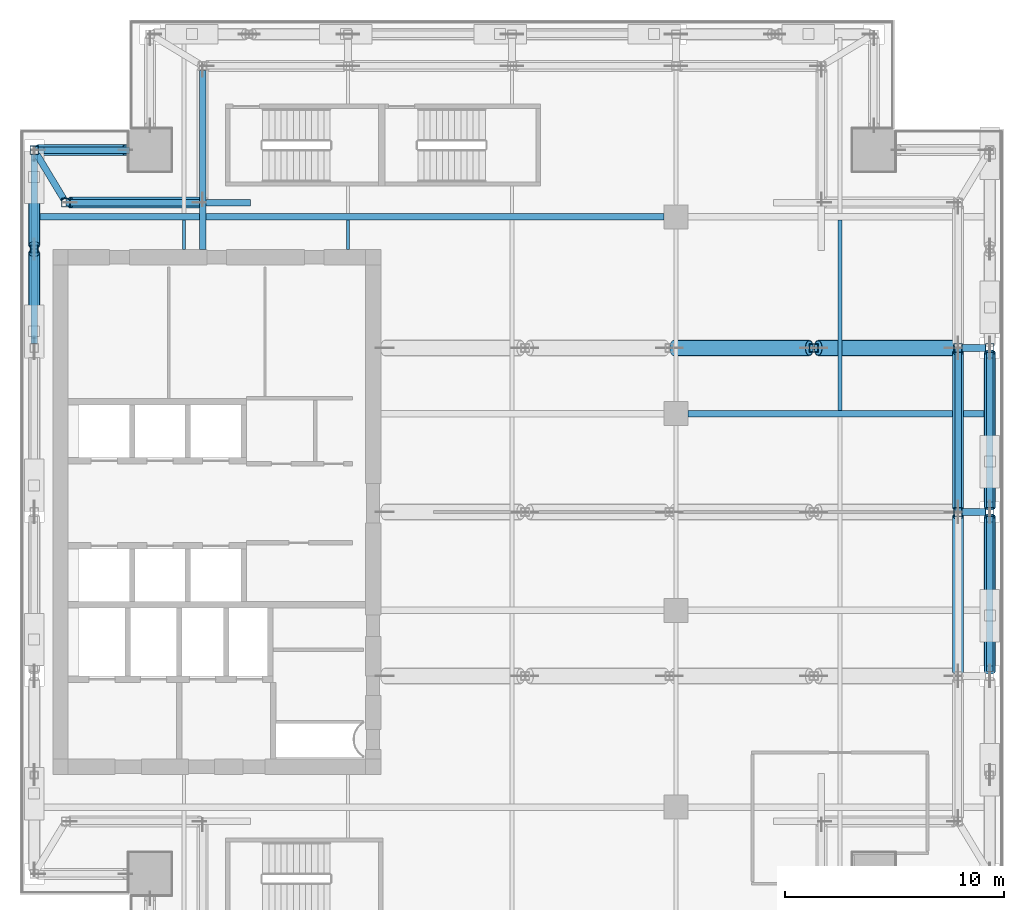
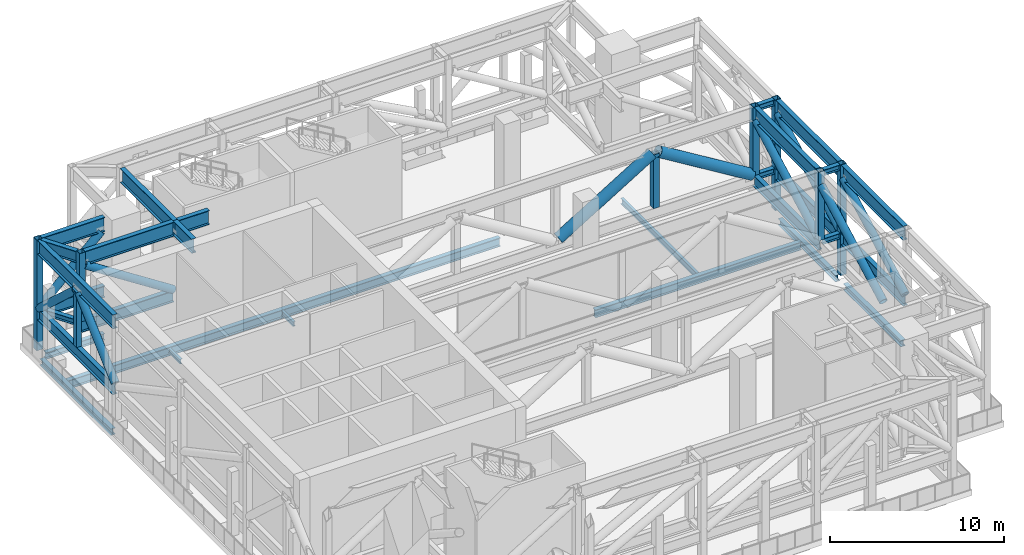
# One storey, part 4 of 15: 33 members, 15 beams.
"""IFC4 building model written with IfcOpenShell, lengths in metres."""

from ifc_helpers import new_model, si_unit, direction, frame, origin, origin_2d, place, context, subcontext, project, spatial, hollow_rectangle, hollow_circle, i_section, extrude, source, transform, mapped, material, material_profile, profile_set, type_object, element, save


model = new_model("IFC4")

# Units and contexts
model_context = context("Model", 3, precision=1e-05, world=origin(), true_north=direction((0.0, 1.0)))
body_context = subcontext(model_context, "Body", "Model", "MODEL_VIEW")
ifc_project = project(units=[si_unit("LENGTHUNIT", "METRE"), si_unit("AREAUNIT", "SQUARE_METRE"), si_unit("VOLUMEUNIT", "CUBIC_METRE"), si_unit("PLANEANGLEUNIT", "RADIAN"), si_unit("MASSUNIT", "GRAM", prefix="KILO")], contexts=[model_context])

# Site, building, storey
site_placement = place(None, origin())
site = spatial("IfcSite", under=ifc_project, at=site_placement, CompositionType="ELEMENT")
building_placement = place(site_placement, origin())
building = spatial("IfcBuilding", under=site, at=building_placement, Name="Khomas Fold Tower", CompositionType="ELEMENT")
storey_placement = place(building_placement, frame((0.0, 0.0, 274.199951171875)))
storey = spatial("IfcBuildingStorey", under=building, at=storey_placement, Name="L62", CompositionType="ELEMENT", Elevation=274.199951171875)

# Beams
ifc_material_1 = material(Name="Steel S355", Category="steel")
ifc_material_profile_1 = material_profile(ifc_material_1, i_section(OverallWidth=0.179931640625, OverallDepth=0.39990234375, WebThickness=0.008544921875, FlangeThickness=0.013427734375, at=origin_2d()), Name="IPE 400")
ifc_profile_set_1 = profile_set([ifc_material_profile_1], Name="Steel S355")
beam_type_1 = type_object("IfcBeamType", Name="IPE 400 beam JB3", PredefinedType="BEAM", material=ifc_profile_set_1)
shared_shape_1 = source(origin(), body_context, "Body", "SweptSolid", [
    extrude(i_section(OverallWidth=0.179931640625, OverallDepth=0.39990234375, WebThickness=0.008544921875, FlangeThickness=0.013427734375, at=origin_2d()), origin(), (0.0, 0.0, 1.0), 8.7001953125),
])
beam_1_placement = place(storey_placement, frame((42.0, 31.64990234375, -0.599853515625), z_axis=(0.0, 1.0, 0.0), x_axis=(-1.0, 0.0, 0.0)))
element("IfcBeam", 1, at=beam_1_placement, inside=storey, type_object=beam_type_1, Name="JB3", PredefinedType="BEAM", context=body_context, shape_type="MappedRepresentation", body=[
    mapped(shared_shape_1, transform((0.0, 0.0, 0.0))),
])
ifc_material_2 = material(Name="Steel S355", Category="steel")
ifc_material_profile_2 = material_profile(ifc_material_2, i_section(OverallWidth=0.159912109375, OverallDepth=0.330078125, WebThickness=0.007568359375, FlangeThickness=0.011474609375, at=origin_2d()), Name="IPE 330")
ifc_profile_set_2 = profile_set([ifc_material_profile_2], Name="Steel S355")
beam_type_2 = type_object("IfcBeamType", Name="IPE 330 beam JB1", PredefinedType="BEAM", material=ifc_profile_set_2)
shared_shape_2 = source(origin(), body_context, "Body", "SweptSolid", [
    extrude(i_section(OverallWidth=0.159912109375, OverallDepth=0.330078125, WebThickness=0.007568359375, FlangeThickness=0.011474609375, at=origin_2d()), origin(), (0.0, 0.0, 1.0), 1.35009765625),
])
for number, where, z_axis, x_axis, name in (
    (2, (12.0, 39.0, -0.56494140625), (0.0, 1.0, 0.0), (-1.0, 0.0, 0.0), "JB1"),
    (3, (19.5, 39.0, -0.56494140625), (0.0, 1.0, 0.0), (-1.0, 0.0, 0.0), "JB1"),
):
    element("IfcBeam", number, at=place(storey_placement, frame(where, z_axis=z_axis, x_axis=x_axis)), inside=storey, type_object=beam_type_2, Name=name, PredefinedType="BEAM", context=body_context, shape_type="MappedRepresentation", body=[
        mapped(shared_shape_2, transform((0.0, 0.0, 0.0))),
    ])
ifc_material_3 = material(Name="Steel S355", Category="steel")
ifc_material_profile_3 = material_profile(ifc_material_3, i_section(OverallWidth=0.300048828125, OverallDepth=0.449951171875, WebThickness=0.013916015625, FlangeThickness=0.02587890625, at=origin_2d()), Name="HE 450 B")
ifc_profile_set_3 = profile_set([ifc_material_profile_3], Name="Steel S355")
beam_type_3 = type_object("IfcBeamType", Name="HE 450 B spandrel SB4", PredefinedType="SPANDREL", material=ifc_profile_set_3)
shared_shape_3 = source(origin(), body_context, "Body", "SweptSolid", [
    extrude(i_section(OverallWidth=0.300048828125, OverallDepth=0.449951171875, WebThickness=0.013916015625, FlangeThickness=0.02587890625, at=origin_2d()), origin(), (0.0, 0.0, 1.0), 8.150146484375),
])
beam_2_placement = place(storey_placement, frame((5.14990234375, 34.949951171875, -0.625), z_axis=(0.0, 1.0, 0.0), x_axis=(-1.0, 0.0, 0.0)))
element("IfcBeam", 4, at=beam_2_placement, inside=storey, type_object=beam_type_3, Name="SB4", PredefinedType="SPANDREL", context=body_context, shape_type="MappedRepresentation", body=[
    mapped(shared_shape_3, transform((0.0, 0.0, 0.0))),
])
shared_shape_4 = source(origin(), body_context, "Body", "SweptSolid", [
    extrude(i_section(OverallWidth=0.300048828125, OverallDepth=0.449951171875, WebThickness=0.013916015625, FlangeThickness=0.02587890625, at=origin_2d()), origin(), (0.0, 0.0, 1.0), 6.60009765625),
])
for number, where, z_axis, x_axis, name in (
    (5, (48.85009765625, 19.949951171875, -0.625), (0.0, 1.0, 0.0), (-1.0, 0.0, 0.0), "SB4"),
    (6, (48.85009765625, 27.449951171875, -0.625), (0.0, 1.0, 0.0), (-1.0, 0.0, 0.0), "SB4"),
):
    element("IfcBeam", number, at=place(storey_placement, frame(where, z_axis=z_axis, x_axis=x_axis)), inside=storey, type_object=beam_type_3, Name=name, PredefinedType="SPANDREL", context=body_context, shape_type="MappedRepresentation", body=[
        mapped(shared_shape_4, transform((0.0, 0.0, 0.0))),
    ])
shared_shape_5 = source(origin(), body_context, "Body", "SweptSolid", [
    extrude(i_section(OverallWidth=0.300048828125, OverallDepth=0.449951171875, WebThickness=0.013916015625, FlangeThickness=0.02587890625, at=origin_2d()), origin(), (0.0, 0.0, 1.0), 3.89990234375),
])
beam_3_placement = place(storey_placement, frame((5.60009765625, 43.550048828125, -0.625), z_axis=(1.0, 0.0, 0.0), x_axis=(0.0, 1.0, 0.0)))
element("IfcBeam", 7, at=beam_3_placement, inside=storey, type_object=beam_type_3, Name="SB4", PredefinedType="SPANDREL", context=body_context, shape_type="MappedRepresentation", body=[
    mapped(shared_shape_5, transform((0.0, 0.0, 0.0))),
])
ifc_material_4 = material(Name="Steel S355", Category="steel")
ifc_material_profile_4 = material_profile(ifc_material_4, i_section(OverallWidth=0.300048828125, OverallDepth=0.60009765625, WebThickness=0.015380859375, FlangeThickness=0.030029296875, at=origin_2d()), Name="HE 600 B")
ifc_profile_set_4 = profile_set([ifc_material_profile_4], Name="Steel S355")
beam_type_4 = type_object("IfcBeamType", Name="HE 600 B beam GB5", PredefinedType="BEAM", material=ifc_profile_set_4)
shared_shape_6 = source(origin(), body_context, "Body", "SweptSolid", [
    extrude(i_section(OverallWidth=0.300048828125, OverallDepth=0.60009765625, WebThickness=0.015380859375, FlangeThickness=0.030029296875, at=origin_2d()), origin(), (0.0, 0.0, 1.0), 28.64990234375),
])
beam_4_placement = place(storey_placement, frame((5.300048828125, 40.5, -0.699951171875), z_axis=(1.0, 0.0, 0.0), x_axis=(0.0, 1.0, 0.0)))
element("IfcBeam", 8, at=beam_4_placement, inside=storey, type_object=beam_type_4, Name="GB5", PredefinedType="BEAM", context=body_context, shape_type="MappedRepresentation", body=[
    mapped(shared_shape_6, transform((0.0, 0.0, 0.0))),
])
ifc_material_5 = material(Name="Steel S355", Category="steel")
ifc_material_profile_5 = material_profile(ifc_material_5, i_section(OverallWidth=0.300048828125, OverallDepth=0.550048828125, WebThickness=0.014892578125, FlangeThickness=0.029052734375, at=origin_2d()), Name="HE 550 B")
ifc_profile_set_5 = profile_set([ifc_material_profile_5], Name="Steel S355")
beam_type_5 = type_object("IfcBeamType", Name="HE 550 B beam GB4", PredefinedType="BEAM", material=ifc_profile_set_5)
shared_shape_7 = source(origin(), body_context, "Body", "SweptSolid", [
    extrude(i_section(OverallWidth=0.300048828125, OverallDepth=0.550048828125, WebThickness=0.014892578125, FlangeThickness=0.029052734375, at=origin_2d()), origin(), (0.0, 0.0, 1.0), 13.64990234375),
])
beam_5_placement = place(storey_placement, frame((35.050048828125, 31.5, -0.675048828125), z_axis=(1.0, 0.0, 0.0), x_axis=(0.0, 1.0, 0.0)))
element("IfcBeam", 9, at=beam_5_placement, inside=storey, type_object=beam_type_5, Name="GB4", PredefinedType="BEAM", context=body_context, shape_type="MappedRepresentation", body=[
    mapped(shared_shape_7, transform((0.0, 0.0, 0.0))),
])

# Members
ifc_material_6 = material(Name="Steel S460M", Category="steel")
ifc_material_profile_6 = material_profile(ifc_material_6, i_section(OverallWidth=0.300048828125, OverallDepth=1.0, WebThickness=0.01904296875, FlangeThickness=0.035888671875, at=origin_2d()), Name="HE 1000 B")
ifc_profile_set_6 = profile_set([ifc_material_profile_6], Name="Steel S460M")
member_type_1 = type_object("IfcMemberType", Name="BELT TRUSS 4 TOP CHORD HE 1000 B", PredefinedType="CHORD", material=ifc_profile_set_6)
shared_shape_8 = source(origin(), body_context, "Body", "SweptSolid", [
    extrude(i_section(OverallWidth=0.300048828125, OverallDepth=1.0, WebThickness=0.01904296875, FlangeThickness=0.035888671875, at=origin_2d()), origin(), (0.0, 0.0, 1.0), 8.650146484375),
])
member_1_placement = place(storey_placement, frame((5.14990234375, 43.35009765625, 7.25), z_axis=(0.0, -1.0, 0.0), x_axis=(1.0, 0.0, 0.0)))
element("IfcMember", 10, at=member_1_placement, inside=storey, type_object=member_type_1, Name="BT4-CT", PredefinedType="CHORD", context=body_context, shape_type="MappedRepresentation", body=[
    mapped(shared_shape_8, transform((0.0, 0.0, 0.0))),
])
ifc_material_7 = material(Name="Steel S460M", Category="steel")
ifc_material_profile_7 = material_profile(ifc_material_7, i_section(OverallWidth=0.300048828125, OverallDepth=0.800048828125, WebThickness=0.017578125, FlangeThickness=0.032958984375, at=origin_2d()), Name="HE 800 B")
ifc_profile_set_7 = profile_set([ifc_material_profile_7], Name="Steel S460M")
member_type_2 = type_object("IfcMemberType", Name="BELT TRUSS 4 BOTTOM CHORD HE 800 B", PredefinedType="CHORD", material=ifc_profile_set_7)
shared_shape_9 = source(origin(), body_context, "Body", "SweptSolid", [
    extrude(i_section(OverallWidth=0.300048828125, OverallDepth=0.800048828125, WebThickness=0.017578125, FlangeThickness=0.032958984375, at=origin_2d()), origin(), (0.0, 0.0, 1.0), 8.650146484375),
])
member_2_placement = place(storey_placement, frame((5.14990234375, 43.35009765625, 2.550048828125), z_axis=(0.0, -1.0, 0.0), x_axis=(1.0, 0.0, 0.0)))
element("IfcMember", 11, at=member_2_placement, inside=storey, type_object=member_type_2, Name="BT4-CB", PredefinedType="CHORD", context=body_context, shape_type="MappedRepresentation", body=[
    mapped(shared_shape_9, transform((0.0, 0.0, 0.0))),
])
ifc_material_8 = material(Name="Steel S355", Category="steel")
ifc_material_profile_8 = material_profile(ifc_material_8, hollow_circle(Radius=0.25390625, WallThickness=0.02001953125, at=origin_2d()), Name="CHS 508x20")
ifc_profile_set_8 = profile_set([ifc_material_profile_8], Name="Steel S355")
member_type_3 = type_object("IfcMemberType", Name="BELT TRUSS 4 DIAGONAL CHS 508x20", PredefinedType="BRACE", material=ifc_profile_set_8)
shared_shape_10 = source(origin(), body_context, "Body", "SweptSolid", [
    extrude(hollow_circle(Radius=0.25390625, WallThickness=0.02001953125, at=origin_2d()), origin(), (0.0, 0.0, 1.0), 5.6337890625),
])
for number, where, z_axis, x_axis, name in (
    (12, (5.14990234375, 43.35009765625, 2.945068359375), (0.0, -0.736644872109, 0.676279773759), (1.0, 0.0, 0.0), "BT4-D"),
    (13, (5.14990234375, 38.85009765625, 6.755126953125), (0.0, -0.736644872109, -0.676279773759), (1.0, 0.0, 0.0), "BT4-D"),
):
    element("IfcMember", number, at=place(storey_placement, frame(where, z_axis=z_axis, x_axis=x_axis)), inside=storey, type_object=member_type_3, Name=name, PredefinedType="BRACE", context=body_context, shape_type="MappedRepresentation", body=[
        mapped(shared_shape_10, transform((0.0, 0.0, 0.0))),
    ])
ifc_material_9 = material(Name="Steel S355", Category="steel")
ifc_material_profile_9 = material_profile(ifc_material_9, hollow_rectangle(XDim=0.35009765625, YDim=0.35009765625, WallThickness=0.02001953125, at=origin_2d()), Name="SHS 350x350x20")
ifc_profile_set_9 = profile_set([ifc_material_profile_9], Name="Steel S355")
member_type_4 = type_object("IfcMemberType", Name="BELT TRUSS 4 MID POST SHS 350x350x20", PredefinedType="POST", material=ifc_profile_set_9)
shared_shape_11 = source(origin(), body_context, "Body", "SweptSolid", [
    extrude(hollow_rectangle(XDim=0.35009765625, YDim=0.35009765625, WallThickness=0.02001953125, at=origin_2d()), origin(), (0.0, 0.0, 1.0), 3.800048828125),
])
member_3_placement = place(storey_placement, frame((5.14990234375, 39.02490234375, 2.949951171875), z_axis=(0.0, 0.0, 1.0), x_axis=(1.0, 0.0, 0.0)))
element("IfcMember", 14, at=member_3_placement, inside=storey, type_object=member_type_4, Name="BT4-M", PredefinedType="POST", context=body_context, shape_type="MappedRepresentation", body=[
    mapped(shared_shape_11, transform((0.0, 0.0, 0.0))),
])
shared_shape_12 = source(origin(), body_context, "Body", "SweptSolid", [
    extrude(i_section(OverallWidth=0.300048828125, OverallDepth=1.0, WebThickness=0.01904296875, FlangeThickness=0.035888671875, at=origin_2d()), origin(), (0.0, 0.0, 1.0), 7.10009765625),
])
for number, where, z_axis, x_axis, name in (
    (15, (48.85009765625, 19.699951171875, 7.25), (0.0, 1.0, 0.0), (-1.0, 0.0, 0.0), "BT4-CT"),
    (16, (48.85009765625, 27.199951171875, 7.25), (0.0, 1.0, 0.0), (-1.0, 0.0, 0.0), "BT4-CT"),
    (17, (47.39990234375, 27.199951171875, 7.25), (0.0, 1.0, 0.0), (-1.0, 0.0, 0.0), "BT4-CT"),
):
    element("IfcMember", number, at=place(storey_placement, frame(where, z_axis=z_axis, x_axis=x_axis)), inside=storey, type_object=member_type_1, Name=name, PredefinedType="CHORD", context=body_context, shape_type="MappedRepresentation", body=[
        mapped(shared_shape_12, transform((0.0, 0.0, 0.0))),
    ])
shared_shape_13 = source(origin(), body_context, "Body", "SweptSolid", [
    extrude(i_section(OverallWidth=0.300048828125, OverallDepth=0.800048828125, WebThickness=0.017578125, FlangeThickness=0.032958984375, at=origin_2d()), origin(), (0.0, 0.0, 1.0), 7.10009765625),
])
for number, where, z_axis, x_axis, name in (
    (18, (48.85009765625, 19.699951171875, 2.550048828125), (0.0, 1.0, 0.0), (-1.0, 0.0, 0.0), "BT4-CB"),
    (19, (48.85009765625, 27.199951171875, 2.550048828125), (0.0, 1.0, 0.0), (-1.0, 0.0, 0.0), "BT4-CB"),
):
    element("IfcMember", number, at=place(storey_placement, frame(where, z_axis=z_axis, x_axis=x_axis)), inside=storey, type_object=member_type_2, Name=name, PredefinedType="CHORD", context=body_context, shape_type="MappedRepresentation", body=[
        mapped(shared_shape_13, transform((0.0, 0.0, 0.0))),
    ])
shared_shape_14 = source(origin(), body_context, "Body", "SweptSolid", [
    extrude(hollow_circle(Radius=0.25390625, WallThickness=0.02001953125, at=origin_2d()), origin(), (0.0, 0.0, 1.0), 8.057861328125),
])
for number, where, z_axis, x_axis, name in (
    (20, (48.85009765625, 19.699951171875, 2.945068359375), (0.0, 0.881147336549, 0.472841803665), (-1.0, 0.0, 0.0), "BT4-D"),
    (21, (48.85009765625, 27.199951171875, 2.945068359375), (0.0, 0.881147336549, 0.472841803665), (-1.0, 0.0, 0.0), "BT4-D"),
    (22, (47.39990234375, 19.699951171875, 2.945068359375), (0.0, 0.881147336549, 0.472841803665), (-1.0, 0.0, 0.0), "BT4-D"),
    (23, (47.39990234375, 27.199951171875, 2.945068359375), (0.0, 0.881147336549, 0.472841803665), (-1.0, 0.0, 0.0), "BT4-D"),
):
    element("IfcMember", number, at=place(storey_placement, frame(where, z_axis=z_axis, x_axis=x_axis)), inside=storey, type_object=member_type_3, Name=name, PredefinedType="BRACE", context=body_context, shape_type="MappedRepresentation", body=[
        mapped(shared_shape_14, transform((0.0, 0.0, 0.0))),
    ])
ifc_material_10 = material(Name="Steel S460M", Category="steel")
ifc_material_profile_10 = material_profile(ifc_material_10, i_section(OverallWidth=0.300048828125, OverallDepth=1.0, WebThickness=0.01904296875, FlangeThickness=0.035888671875, at=origin_2d()), Name="HE 1000 B")
ifc_profile_set_10 = profile_set([ifc_material_profile_10], Name="Steel S460M")
member_type_5 = type_object("IfcMemberType", Name="BELT TRUSS 4 TOP CHORD SHORT HE 1000 B", PredefinedType="CHORD", material=ifc_profile_set_10)
shared_shape_15 = source(origin(), body_context, "Body", "SweptSolid", [
    extrude(i_section(OverallWidth=0.300048828125, OverallDepth=1.0, WebThickness=0.01904296875, FlangeThickness=0.035888671875, at=origin_2d()), origin(), (0.0, 0.0, 1.0), 4.14990234375),
])
member_4_placement = place(storey_placement, frame((5.35009765625, 43.550048828125, 7.25), z_axis=(1.0, 0.0, 0.0), x_axis=(0.0, 1.0, 0.0)))
element("IfcMember", 24, at=member_4_placement, inside=storey, type_object=member_type_5, Name="BT4-CTS", PredefinedType="CHORD", context=body_context, shape_type="MappedRepresentation", body=[
    mapped(shared_shape_15, transform((0.0, 0.0, 0.0))),
])
ifc_material_11 = material(Name="Steel S460M", Category="steel")
ifc_material_profile_11 = material_profile(ifc_material_11, i_section(OverallWidth=0.300048828125, OverallDepth=0.800048828125, WebThickness=0.017578125, FlangeThickness=0.032958984375, at=origin_2d()), Name="HE 800 B")
ifc_profile_set_11 = profile_set([ifc_material_profile_11], Name="Steel S460M")
member_type_6 = type_object("IfcMemberType", Name="BELT TRUSS 4 BOTTOM CHORD SHORT HE 800 B", PredefinedType="CHORD", material=ifc_profile_set_11)
shared_shape_16 = source(origin(), body_context, "Body", "SweptSolid", [
    extrude(i_section(OverallWidth=0.300048828125, OverallDepth=0.800048828125, WebThickness=0.017578125, FlangeThickness=0.032958984375, at=origin_2d()), origin(), (0.0, 0.0, 1.0), 4.14990234375),
])
member_5_placement = place(storey_placement, frame((5.35009765625, 43.550048828125, 2.550048828125), z_axis=(1.0, 0.0, 0.0), x_axis=(0.0, 1.0, 0.0)))
element("IfcMember", 25, at=member_5_placement, inside=storey, type_object=member_type_6, Name="BT4-CBS", PredefinedType="CHORD", context=body_context, shape_type="MappedRepresentation", body=[
    mapped(shared_shape_16, transform((0.0, 0.0, 0.0))),
])
shared_shape_17 = source(origin(), body_context, "Body", "SweptSolid", [
    extrude(hollow_circle(Radius=0.25390625, WallThickness=0.02001953125, at=origin_2d()), origin(), (0.0, 0.0, 1.0), 5.508544921875),
])
member_6_placement = place(storey_placement, frame((5.35009765625, 43.550048828125, 2.945068359375), z_axis=(0.722210494752, 0.0, 0.691673334219), x_axis=(0.0, 1.0, 0.0)))
element("IfcMember", 26, at=member_6_placement, inside=storey, type_object=member_type_3, Name="BT4-D", PredefinedType="BRACE", context=body_context, shape_type="MappedRepresentation", body=[
    mapped(shared_shape_17, transform((0.0, 0.0, 0.0))),
])
shared_shape_18 = source(origin(), body_context, "Body", "SweptSolid", [
    extrude(i_section(OverallWidth=0.300048828125, OverallDepth=0.800048828125, WebThickness=0.017578125, FlangeThickness=0.032958984375, at=origin_2d()), origin(), (0.0, 0.0, 1.0), 7.5),
])
member_7_placement = place(storey_placement, frame((47.39990234375, 27.0, 2.550048828125), z_axis=(0.0, 1.0, 0.0), x_axis=(-1.0, 0.0, 0.0)))
element("IfcMember", 27, at=member_7_placement, inside=storey, type_object=member_type_2, Name="BT4-CB", PredefinedType="CHORD", context=body_context, shape_type="MappedRepresentation", body=[
    mapped(shared_shape_18, transform((0.0, 0.0, 0.0))),
])
shared_shape_19 = source(origin(), body_context, "Body", "SweptSolid", [
    extrude(i_section(OverallWidth=0.300048828125, OverallDepth=1.0, WebThickness=0.01904296875, FlangeThickness=0.035888671875, at=origin_2d()), origin(), (0.0, 0.0, 1.0), 6.050048828125),
])
member_8_placement = place(storey_placement, frame((12.85009765625, 47.199951171875, 7.25), z_axis=(0.0, -1.0, 0.0), x_axis=(1.0, 0.0, 0.0)))
element("IfcMember", 28, at=member_8_placement, inside=storey, type_object=member_type_5, Name="BT4-CTS", PredefinedType="CHORD", context=body_context, shape_type="MappedRepresentation", body=[
    mapped(shared_shape_19, transform((0.0, 0.0, 0.0))),
])
shared_shape_20 = source(origin(), body_context, "Body", "SweptSolid", [
    extrude(i_section(OverallWidth=0.300048828125, OverallDepth=1.0, WebThickness=0.01904296875, FlangeThickness=0.035888671875, at=origin_2d()), origin(), (0.0, 0.0, 1.0), 5.89990234375),
])
member_9_placement = place(storey_placement, frame((6.800048828125, 41.14990234375, 7.25), z_axis=(1.0, 0.0, 0.0), x_axis=(0.0, 1.0, 0.0)))
element("IfcMember", 29, at=member_9_placement, inside=storey, type_object=member_type_5, Name="BT4-CTS", PredefinedType="CHORD", context=body_context, shape_type="MappedRepresentation", body=[
    mapped(shared_shape_20, transform((0.0, 0.0, 0.0))),
])
shared_shape_21 = source(origin(), body_context, "Body", "SweptSolid", [
    extrude(hollow_circle(Radius=0.25390625, WallThickness=0.02001953125, at=origin_2d()), origin(), (0.0, 0.0, 1.0), 7.023193359375),
])
member_10_placement = place(storey_placement, frame((6.800048828125, 41.14990234375, 6.755126953125), z_axis=(0.840058520302, 0.0, -0.542495790277), x_axis=(0.0, 1.0, 0.0)))
element("IfcMember", 30, at=member_10_placement, inside=storey, type_object=member_type_3, Name="BT4-D", PredefinedType="BRACE", context=body_context, shape_type="MappedRepresentation", body=[
    mapped(shared_shape_21, transform((0.0, 0.0, 0.0))),
])
ifc_material_12 = material(Name="Steel S460M", Category="steel")
ifc_material_profile_12 = material_profile(ifc_material_12, i_section(OverallWidth=0.300048828125, OverallDepth=1.0, WebThickness=0.01904296875, FlangeThickness=0.035888671875, at=origin_2d()), Name="HE 1000 B")
ifc_profile_set_12 = profile_set([ifc_material_profile_12], Name="Steel S460M")
member_type_7 = type_object("IfcMemberType", Name="BELT TRUSS 4 TOP CHORD SHORTER HE 1000 B", PredefinedType="CHORD", material=ifc_profile_set_12)
shared_shape_22 = source(origin(), body_context, "Body", "SweptSolid", [
    extrude(i_section(OverallWidth=0.300048828125, OverallDepth=1.0, WebThickness=0.01904296875, FlangeThickness=0.035888671875, at=origin_2d()), origin(), (0.0, 0.0, 1.0), 2.050048828125),
])
member_11_placement = place(storey_placement, frame((13.0, 41.14990234375, 7.25), z_axis=(1.0, 0.0, 0.0), x_axis=(0.0, 1.0, 0.0)))
element("IfcMember", 31, at=member_11_placement, inside=storey, type_object=member_type_7, Name="BT4-CTSS", PredefinedType="CHORD", context=body_context, shape_type="MappedRepresentation", body=[
    mapped(shared_shape_22, transform((0.0, 0.0, 0.0))),
])
shared_shape_23 = source(origin(), body_context, "Body", "SweptSolid", [
    extrude(i_section(OverallWidth=0.300048828125, OverallDepth=0.800048828125, WebThickness=0.017578125, FlangeThickness=0.032958984375, at=origin_2d()), origin(), (0.0, 0.0, 1.0), 6.099853515625),
])
member_12_placement = place(storey_placement, frame((6.60009765625, 41.14990234375, 2.550048828125), z_axis=(1.0, 0.0, 0.0), x_axis=(0.0, 1.0, 0.0)))
element("IfcMember", 32, at=member_12_placement, inside=storey, type_object=member_type_6, Name="BT4-CBS", PredefinedType="CHORD", context=body_context, shape_type="MappedRepresentation", body=[
    mapped(shared_shape_23, transform((0.0, 0.0, 0.0))),
])
shared_shape_24 = source(origin(), body_context, "Body", "SweptSolid", [
    extrude(i_section(OverallWidth=0.300048828125, OverallDepth=1.0, WebThickness=0.01904296875, FlangeThickness=0.035888671875, at=origin_2d()), origin(), (0.0, 0.0, 1.0), 2.14990234375),
])
member_13_placement = place(storey_placement, frame((12.85009765625, 41.14990234375, 7.25), z_axis=(0.0, -1.0, 0.0), x_axis=(1.0, 0.0, 0.0)))
element("IfcMember", 33, at=member_13_placement, inside=storey, type_object=member_type_7, Name="BT4-CTSS", PredefinedType="CHORD", context=body_context, shape_type="MappedRepresentation", body=[
    mapped(shared_shape_24, transform((0.0, 0.0, 0.0))),
])
ifc_material_13 = material(Name="Steel S460M", Category="steel")
ifc_material_profile_13 = material_profile(ifc_material_13, hollow_rectangle(XDim=0.39990234375, YDim=0.39990234375, WallThickness=0.02490234375, at=origin_2d()), Name="SHS 400x400x25")
ifc_profile_set_13 = profile_set([ifc_material_profile_13], Name="Steel S460M")
member_type_8 = type_object("IfcMemberType", Name="BELT TRUSS 4 COLUMN POST SHS 400x400x25", PredefinedType="POST", material=ifc_profile_set_13)
shared_shape_25 = source(origin(), body_context, "Body", "SweptSolid", [
    extrude(hollow_rectangle(XDim=0.39990234375, YDim=0.39990234375, WallThickness=0.02490234375, at=origin_2d()), origin(), (0.0, 0.0, 1.0), 7.75),
])
for number, where, z_axis, x_axis, name in (
    (34, (48.85009765625, 27.0, 0.0), (0.0, 0.0, 1.0), (1.0, 0.0, 0.0), "BT4-P"),
    (35, (48.85009765625, 34.5, 0.0), (0.0, 0.0, 1.0), (1.0, 0.0, 0.0), "BT4-P"),
    (36, (5.14990234375, 43.550048828125, 0.0), (0.0, 0.0, 1.0), (1.0, 0.0, 0.0), "BT4-P"),
):
    element("IfcMember", number, at=place(storey_placement, frame(where, z_axis=z_axis, x_axis=x_axis)), inside=storey, type_object=member_type_8, Name=name, PredefinedType="POST", context=body_context, shape_type="MappedRepresentation", body=[
        mapped(shared_shape_25, transform((0.0, 0.0, 0.0))),
    ])
ifc_material_14 = material(Name="Steel S460M", Category="steel")
ifc_material_profile_14 = material_profile(ifc_material_14, hollow_rectangle(XDim=0.39990234375, YDim=0.39990234375, WallThickness=0.02490234375, at=origin_2d()), Name="SHS 400x400x25")
ifc_profile_set_14 = profile_set([ifc_material_profile_14], Name="Steel S460M")
member_type_9 = type_object("IfcMemberType", Name="BELT TRUSS 4 COLUMN POST SHORT SHS 400x400x25", PredefinedType="POST", material=ifc_profile_set_14)
shared_shape_26 = source(origin(), body_context, "Body", "SweptSolid", [
    extrude(hollow_rectangle(XDim=0.39990234375, YDim=0.39990234375, WallThickness=0.02490234375, at=origin_2d()), origin(), (0.0, 0.0, 1.0), 4.800048828125),
])
for number, where, z_axis, x_axis, name in (
    (37, (47.39990234375, 27.0, 2.949951171875), (0.0, 0.0, 1.0), (1.0, 0.0, 0.0), "BT4-PS"),
    (38, (47.39990234375, 34.5, 2.949951171875), (0.0, 0.0, 1.0), (1.0, 0.0, 0.0), "BT4-PS"),
    (39, (6.60009765625, 41.14990234375, 2.949951171875), (0.0, 0.0, 1.0), (1.0, 0.0, 0.0), "BT4-PS"),
):
    element("IfcMember", number, at=place(storey_placement, frame(where, z_axis=z_axis, x_axis=x_axis)), inside=storey, type_object=member_type_9, Name=name, PredefinedType="POST", context=body_context, shape_type="MappedRepresentation", body=[
        mapped(shared_shape_26, transform((0.0, 0.0, 0.0))),
    ])

# Beams
ifc_material_15 = material(Name="Steel S460M", Category="steel")
ifc_material_profile_15 = material_profile(ifc_material_15, i_section(OverallWidth=0.300048828125, OverallDepth=0.800048828125, WebThickness=0.017578125, FlangeThickness=0.032958984375, at=origin_2d()), Name="HE 800 B")
ifc_profile_set_15 = profile_set([ifc_material_profile_15], Name="Steel S460M")
beam_type_6 = type_object("IfcBeamType", Name="BELT TRUSS 4 TOP TRANSFER STRUT HE 800 B", PredefinedType="BEAM", material=ifc_profile_set_15)
shared_shape_27 = source(origin(), body_context, "Body", "SweptSolid", [
    extrude(i_section(OverallWidth=0.300048828125, OverallDepth=0.800048828125, WebThickness=0.017578125, FlangeThickness=0.032958984375, at=origin_2d()), origin(), (0.0, 0.0, 1.0), 2.336669921875),
])
beam_6_placement = place(storey_placement, frame((6.479248046875, 41.35009765625, 7.35009765625), z_axis=(-0.51716666552, 0.855884711906, 0.0), x_axis=(-0.855884711906, -0.51716666552, 0.0)))
element("IfcBeam", 40, at=beam_6_placement, inside=storey, type_object=beam_type_6, Name="BT4-STD", PredefinedType="BEAM", context=body_context, shape_type="MappedRepresentation", body=[
    mapped(shared_shape_27, transform((0.0, 0.0, 0.0))),
])
ifc_material_16 = material(Name="Steel S355", Category="steel")
ifc_material_profile_16 = material_profile(ifc_material_16, i_section(OverallWidth=0.300048828125, OverallDepth=0.39990234375, WebThickness=0.013427734375, FlangeThickness=0.02392578125, at=origin_2d()), Name="HE 400 B")
ifc_profile_set_16 = profile_set([ifc_material_profile_16], Name="Steel S355")
beam_type_7 = type_object("IfcBeamType", Name="BELT TRUSS 4 BOTTOM STRUT LONG HE 400 B", PredefinedType="BEAM", material=ifc_profile_set_16)
shared_shape_28 = source(origin(), body_context, "Body", "SweptSolid", [
    extrude(i_section(OverallWidth=0.300048828125, OverallDepth=0.39990234375, WebThickness=0.013427734375, FlangeThickness=0.02392578125, at=origin_2d()), origin(), (0.0, 0.0, 1.0), 2.39501953125),
])
beam_7_placement = place(storey_placement, frame((6.50927734375, 41.300048828125, 2.75), z_axis=(-0.51710163837, 0.855924001063, 0.0), x_axis=(-0.855924001063, -0.51710163837, 0.0)))
element("IfcBeam", 41, at=beam_7_placement, inside=storey, type_object=beam_type_7, Name="BT4-SBL", PredefinedType="BEAM", context=body_context, shape_type="MappedRepresentation", body=[
    mapped(shared_shape_28, transform((0.0, 0.0, 0.0))),
])
ifc_material_17 = material(Name="Steel S355", Category="steel")
ifc_material_profile_17 = material_profile(ifc_material_17, i_section(OverallWidth=0.300048828125, OverallDepth=0.39990234375, WebThickness=0.013427734375, FlangeThickness=0.02392578125, at=origin_2d()), Name="HE 400 B")
ifc_profile_set_17 = profile_set([ifc_material_profile_17], Name="Steel S355")
beam_type_8 = type_object("IfcBeamType", Name="BELT TRUSS 4 TOP STRUT HE 400 B", PredefinedType="BEAM", material=ifc_profile_set_17)
shared_shape_29 = source(origin(), body_context, "Body", "SweptSolid", [
    extrude(i_section(OverallWidth=0.300048828125, OverallDepth=0.39990234375, WebThickness=0.013427734375, FlangeThickness=0.02392578125, at=origin_2d()), origin(), (0.0, 0.0, 1.0), 1.0498046875),
])
for number, where, z_axis, x_axis, name in (
    (42, (47.60009765625, 27.0, 7.550048828125), (1.0, 0.0, 0.0), (0.0, 1.0, 0.0), "BT4-ST"),
    (43, (47.60009765625, 34.5, 7.550048828125), (1.0, 0.0, 0.0), (0.0, 1.0, 0.0), "BT4-ST"),
):
    element("IfcBeam", number, at=place(storey_placement, frame(where, z_axis=z_axis, x_axis=x_axis)), inside=storey, type_object=beam_type_8, Name=name, PredefinedType="BEAM", context=body_context, shape_type="MappedRepresentation", body=[
        mapped(shared_shape_29, transform((0.0, 0.0, 0.0))),
    ])
ifc_material_18 = material(Name="Steel S355", Category="steel")
ifc_material_profile_18 = material_profile(ifc_material_18, i_section(OverallWidth=0.300048828125, OverallDepth=0.39990234375, WebThickness=0.013427734375, FlangeThickness=0.02392578125, at=origin_2d()), Name="HE 400 B")
ifc_profile_set_18 = profile_set([ifc_material_profile_18], Name="Steel S355")
beam_type_9 = type_object("IfcBeamType", Name="BELT TRUSS 4 BOTTOM STRUT HE 400 B", PredefinedType="BEAM", material=ifc_profile_set_18)
shared_shape_30 = source(origin(), body_context, "Body", "SweptSolid", [
    extrude(i_section(OverallWidth=0.300048828125, OverallDepth=0.39990234375, WebThickness=0.013427734375, FlangeThickness=0.02392578125, at=origin_2d()), origin(), (0.0, 0.0, 1.0), 1.099853515625),
])
for number, where, z_axis, x_axis, name in (
    (44, (47.550048828125, 27.0, 2.75), (1.0, 0.0, 0.0), (0.0, 1.0, 0.0), "BT4-SB"),
    (45, (47.550048828125, 34.5, 2.75), (1.0, 0.0, 0.0), (0.0, 1.0, 0.0), "BT4-SB"),
):
    element("IfcBeam", number, at=place(storey_placement, frame(where, z_axis=z_axis, x_axis=x_axis)), inside=storey, type_object=beam_type_9, Name=name, PredefinedType="BEAM", context=body_context, shape_type="MappedRepresentation", body=[
        mapped(shared_shape_30, transform((0.0, 0.0, 0.0))),
    ])

# Members
ifc_material_19 = material(Name="Steel S355", Category="steel")
ifc_material_profile_19 = material_profile(ifc_material_19, hollow_circle(Radius=0.35546875, WallThickness=0.02490234375, at=origin_2d()), Name="CHS 711x25")
ifc_profile_set_19 = profile_set([ifc_material_profile_19], Name="Steel S355")
member_type_10 = type_object("IfcMemberType", Name="OUTRIGGER 3 DIAGONAL CHS 711x25", PredefinedType="BRACE", material=ifc_profile_set_19)
shared_shape_31 = source(origin(), body_context, "Body", "SweptSolid", [
    extrude(hollow_circle(Radius=0.35546875, WallThickness=0.02490234375, at=origin_2d()), origin(), (0.0, 0.0, 1.0), 7.265625),
])
member_14_placement = place(storey_placement, frame((41.0, 34.5, 6.7470703125), z_axis=(0.85332917533, 0.0, -0.52137253335), x_axis=(0.0, 1.0, 0.0)))
element("IfcMember", 46, at=member_14_placement, inside=storey, type_object=member_type_10, Name="OR3-D", PredefinedType="BRACE", context=body_context, shape_type="MappedRepresentation", body=[
    mapped(shared_shape_31, transform((0.0, 0.0, 0.0))),
])
shared_shape_32 = source(origin(), body_context, "Body", "SweptSolid", [
    extrude(hollow_circle(Radius=0.35546875, WallThickness=0.02490234375, at=origin_2d()), origin(), (0.0, 0.0, 1.0), 7.265869140625),
])
member_15_placement = place(storey_placement, frame((34.39990234375, 34.5, 2.958984375), z_axis=(0.853338309014, 0.0, 0.521357583976), x_axis=(0.0, 1.0, 0.0)))
element("IfcMember", 47, at=member_15_placement, inside=storey, type_object=member_type_10, Name="OR3-D", PredefinedType="BRACE", context=body_context, shape_type="MappedRepresentation", body=[
    mapped(shared_shape_32, transform((0.0, 0.0, 0.0))),
])
ifc_material_20 = material(Name="Steel S460M", Category="steel")
ifc_material_profile_20 = material_profile(ifc_material_20, hollow_rectangle(XDim=0.39990234375, YDim=0.39990234375, WallThickness=0.02001953125, at=origin_2d()), Name="SHS 400x400x20")
ifc_profile_set_20 = profile_set([ifc_material_profile_20], Name="Steel S460M")
member_type_11 = type_object("IfcMemberType", Name="OUTRIGGER 3 MID POST SHS 400x400x20", PredefinedType="POST", material=ifc_profile_set_20)
shared_shape_33 = source(origin(), body_context, "Body", "SweptSolid", [
    extrude(hollow_rectangle(XDim=0.39990234375, YDim=0.39990234375, WallThickness=0.02001953125, at=origin_2d()), origin(), (0.0, 0.0, 1.0), 3.77783203125),
])
member_16_placement = place(storey_placement, frame((40.800048828125, 34.5, 2.964111328125), z_axis=(0.0, 0.0, 1.0), x_axis=(1.0, 0.0, 0.0)))
element("IfcMember", 48, at=member_16_placement, inside=storey, type_object=member_type_11, Name="OR3-M", PredefinedType="POST", context=body_context, shape_type="MappedRepresentation", body=[
    mapped(shared_shape_33, transform((0.0, 0.0, 0.0))),
])

save(model, "model.ifc")
